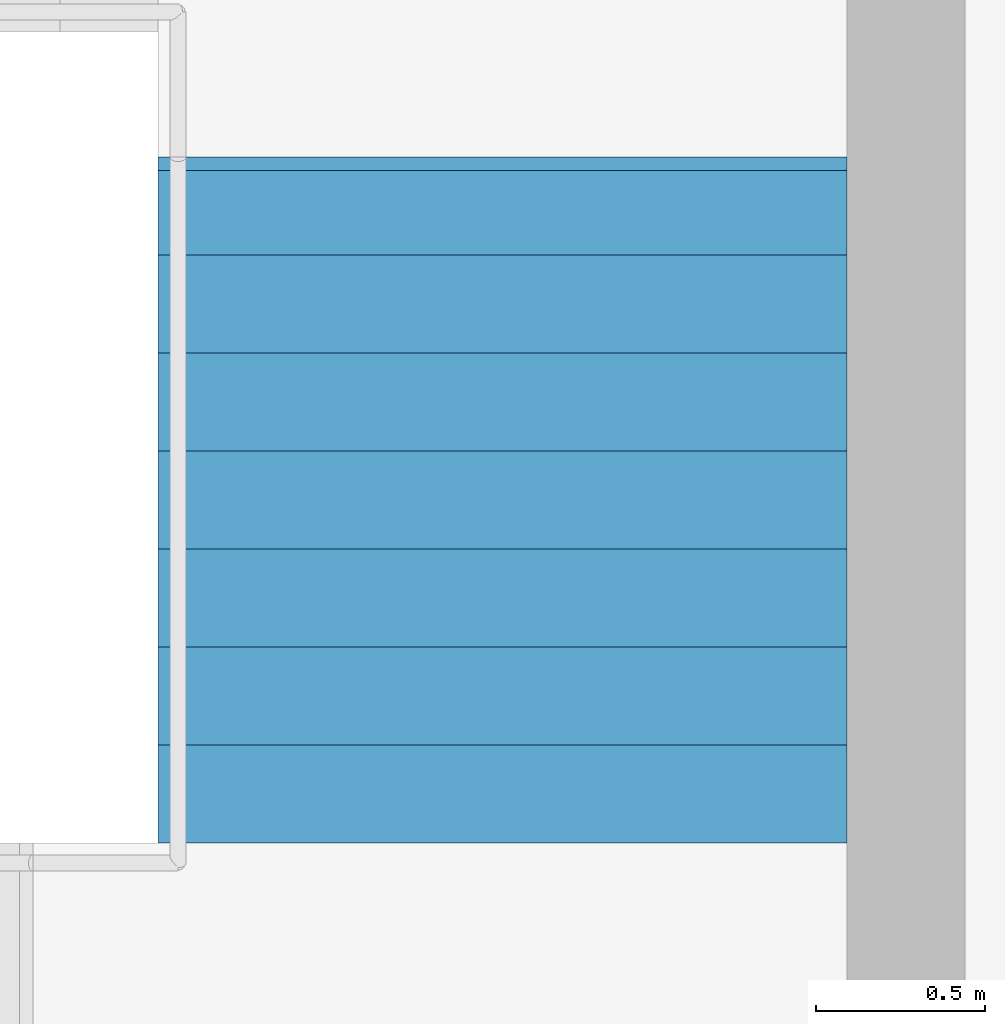
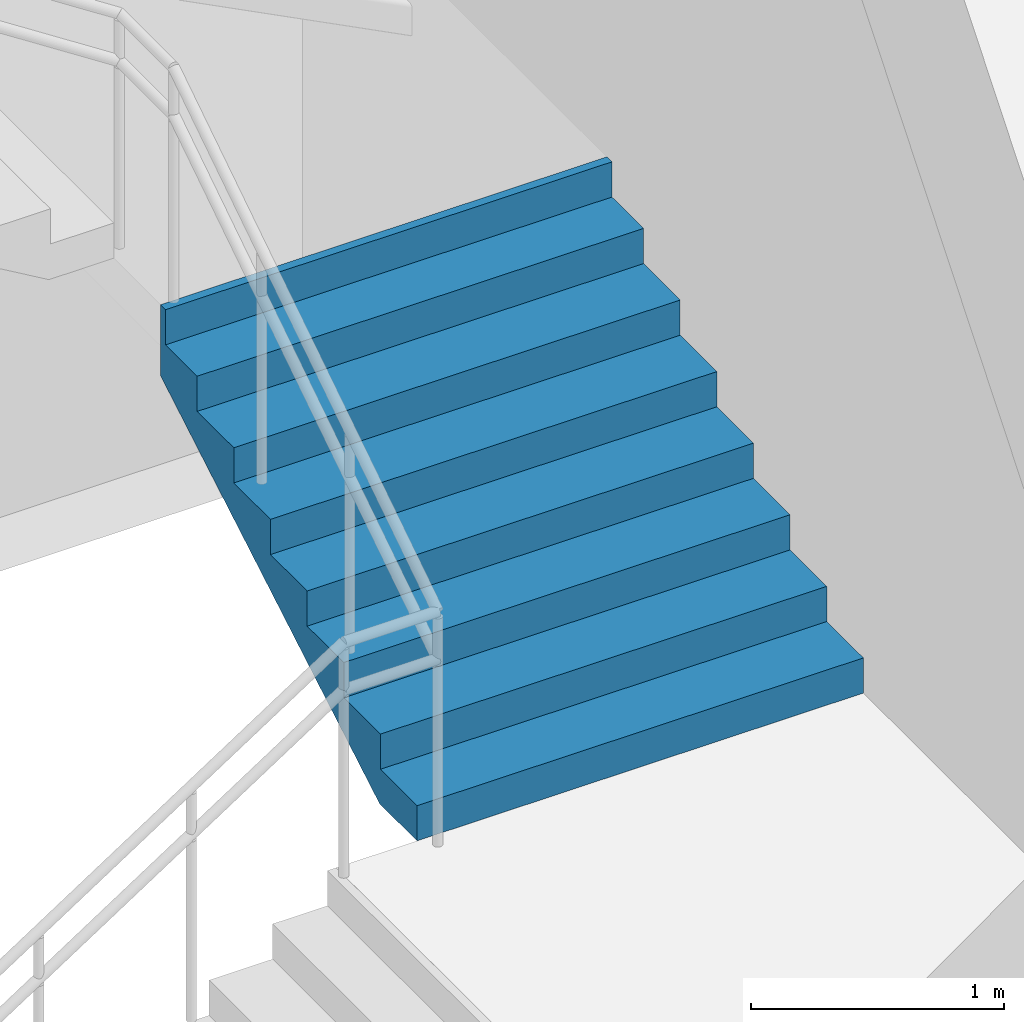
# One storey, part 51 of 72: 1 stair flight, 1 element without a shape of its own.
"""IFC4 building model written with IfcOpenShell, lengths in metres."""

from ifc_helpers import new_model, si_unit, direction, frame, origin, place, context, subcontext, project, spatial, triangles, material, type_object, element, aggregate, save


model = new_model("IFC4")

# Units and contexts
model_context = context("Model", 3, precision=1e-05, world=origin(), true_north=direction((0.0, 1.0)))
body_context = subcontext(model_context, "Body", "Model", "MODEL_VIEW")
ifc_project = project(units=[si_unit("LENGTHUNIT", "METRE"), si_unit("AREAUNIT", "SQUARE_METRE"), si_unit("VOLUMEUNIT", "CUBIC_METRE"), si_unit("PLANEANGLEUNIT", "RADIAN"), si_unit("MASSUNIT", "GRAM", prefix="KILO")], contexts=[model_context])

# Site, building, storey
site_placement = place(None, origin())
site = spatial("IfcSite", under=ifc_project, at=site_placement, CompositionType="ELEMENT")
building_placement = place(site_placement, origin())
building = spatial("IfcBuilding", under=site, at=building_placement, Name="Sillaruma Civic Art Gallery", CompositionType="ELEMENT")
storey_placement = place(building_placement, frame((0.0, 0.0, 10.8798828125)))
storey = spatial("IfcBuildingStorey", under=building, at=storey_placement, Name="L02", CompositionType="ELEMENT", Elevation=10.8798828125)

# Stair, stair flight
ifc_material = material(Name="Concrete H35 (35 MPa)", Category="concrete")
stair_type = type_object("IfcStairType", Name="STR-4F-32", PredefinedType="USERDEFINED", material=ifc_material)
stair_placement = place(storey_placement, origin())
stair = element("IfcStair", 1, at=stair_placement, inside=storey, type_object=stair_type, Name="Protected Exit Stair ST-03 (West Bar South) (L02)", ObjectType="THREE_RETURN_STAIR", PredefinedType="USERDEFINED")
stair_flight_type = type_object("IfcStairFlightType", Name="SFL-STR-8", PredefinedType="STRAIGHT", material=ifc_material)
stair_flight_placement = place(storey_placement, frame((68.219970703125, 33.449951171875, 1.360107421875), z_axis=(0.0, 0.0, 1.0), x_axis=(0.0, 1.0, 0.0)))
stair_flight = element("IfcStairFlight", 2, at=stair_flight_placement, type_object=stair_flight_type, Name="ST-03 flight 2", NumberOfRisers=8, NumberOfTreads=7, PredefinedType="STRAIGHT", RiserHeight=0.17, TreadLength=0.29, context=body_context, shape_type="Tessellation", body=[
    triangles([(0.0, -1.02001953125, 0.0), (0.29, -1.02001953125, 0.0), (0.296443, -1.02001953125, 0.0), (0.58, -1.02001953125, 0.166223), (0.87, -1.02001953125, 0.336223), (1.16, -1.02001953125, 0.506223), (1.45, -1.02001953125, 0.676223), (1.74, -1.02001953125, 0.846223), (1.990029, -1.02001953125, 0.992792), (2.030029, -1.02001953125, 1.01624), (2.030029, -1.02001953125, 1.36), (1.990029, -1.02001953125, 1.36), (1.990029, -1.02001953125, 1.19), (1.74, -1.02001953125, 1.19), (1.74, -1.02001953125, 1.02), (1.45, -1.02001953125, 1.02), (1.45, -1.02001953125, 0.85), (1.16, -1.02001953125, 0.85), (1.16, -1.02001953125, 0.68), (0.87, -1.02001953125, 0.68), (0.87, -1.02001953125, 0.51), (0.58, -1.02001953125, 0.51), (0.58, -1.02001953125, 0.34), (0.296443, -1.02001953125, 0.34), (0.29, -1.02001953125, 0.34), (0.29, -1.02001953125, 0.17), (0.0, -1.02001953125, 0.17), (0.0, -0.05, 0.0), (0.29, -0.05, 0.0), (0.296443, -0.05, 0.0), (0.58, -0.05, 0.166223), (0.87, -0.05, 0.336223), (1.16, -0.05, 0.506223), (1.45, -0.05, 0.676223), (1.74, -0.05, 0.846223), (1.990029, -0.05, 0.992792), (2.030029, -0.05, 1.01624), (2.030029, -0.05, 1.36), (1.990029, -0.05, 1.36), (1.990029, -0.05, 1.19), (1.74, -0.05, 1.19), (1.74, -0.05, 1.02), (1.45, -0.05, 1.02), (1.45, -0.05, 0.85), (1.16, -0.05, 0.85), (1.16, -0.05, 0.68), (0.87, -0.05, 0.68), (0.87, -0.05, 0.51), (0.58, -0.05, 0.51), (0.58, -0.05, 0.34), (0.296443, -0.05, 0.34), (0.29, -0.05, 0.34), (0.29, -0.05, 0.17), (0.0, -0.05, 0.17), (0.0, -0.0375, 0.0), (0.29, -0.0375, 0.0), (0.296443, -0.0375, 0.0), (0.58, -0.0375, 0.166223), (0.87, -0.0375, 0.336223), (1.16, -0.0375, 0.506223), (1.45, -0.0375, 0.676223), (1.74, -0.0375, 0.846223), (1.990029, -0.0375, 0.992792), (2.030029, -0.0375, 1.01624), (2.030029, -0.0375, 1.36), (1.990029, -0.0375, 1.36), (1.990029, -0.0375, 1.19), (1.74, -0.0375, 1.19), (1.74, -0.0375, 1.02), (1.45, -0.0375, 1.02), (1.45, -0.0375, 0.85), (1.16, -0.0375, 0.85), (1.16, -0.0375, 0.68), (0.87, -0.0375, 0.68), (0.87, -0.0375, 0.51), (0.58, -0.0375, 0.51), (0.58, -0.0375, 0.34), (0.296443, -0.0375, 0.34), (0.29, -0.0375, 0.34), (0.29, -0.0375, 0.17), (0.0, -0.0375, 0.17), (0.0, -0.025, 0.0), (0.29, -0.025, 0.0), (0.296443, -0.025, 0.0), (0.58, -0.025, 0.166223), (0.87, -0.025, 0.336223), (1.16, -0.025, 0.506223), (1.45, -0.025, 0.676223), (1.74, -0.025, 0.846223), (1.990029, -0.025, 0.992792), (2.030029, -0.025, 1.01624), (2.030029, -0.025, 1.36), (1.990029, -0.025, 1.36), (1.990029, -0.025, 1.19), (1.74, -0.025, 1.19), (1.74, -0.025, 1.02), (1.45, -0.025, 1.02), (1.45, -0.025, 0.85), (1.16, -0.025, 0.85), (1.16, -0.025, 0.68), (0.87, -0.025, 0.68), (0.87, -0.025, 0.51), (0.58, -0.025, 0.51), (0.58, -0.025, 0.34), (0.296443, -0.025, 0.34), (0.29, -0.025, 0.34), (0.29, -0.025, 0.17), (0.0, -0.025, 0.17), (0.0, -0.0125, 0.0), (0.29, -0.0125, 0.0), (0.296443, -0.0125, 0.0), (0.58, -0.0125, 0.166223), (0.87, -0.0125, 0.336223), (1.16, -0.0125, 0.506223), (1.45, -0.0125, 0.676223), (1.74, -0.0125, 0.846223), (1.990029, -0.0125, 0.992792), (2.030029, -0.0125, 1.01624), (2.030029, -0.0125, 1.36), (1.990029, -0.0125, 1.36), (1.990029, -0.0125, 1.19), (1.74, -0.0125, 1.19), (1.74, -0.0125, 1.02), (1.45, -0.0125, 1.02), (1.45, -0.0125, 0.85), (1.16, -0.0125, 0.85), (1.16, -0.0125, 0.68), (0.87, -0.0125, 0.68), (0.87, -0.0125, 0.51), (0.58, -0.0125, 0.51), (0.58, -0.0125, 0.34), (0.296443, -0.0125, 0.34), (0.29, -0.0125, 0.34), (0.29, -0.0125, 0.17), (0.0, -0.0125, 0.17), (0.0, 0.0, 0.0), (0.29, 0.0, 0.0), (0.296443, 0.0, 0.0), (0.58, 0.0, 0.166223), (0.87, 0.0, 0.336223), (1.16, 0.0, 0.506223), (1.45, 0.0, 0.676223), (1.74, 0.0, 0.846223), (1.990029, 0.0, 0.992792), (2.030029, 0.0, 1.01624), (2.030029, 0.0, 1.36), (1.990029, 0.0, 1.36), (1.990029, 0.0, 1.19), (1.74, 0.0, 1.19), (1.74, 0.0, 1.02), (1.45, 0.0, 1.02), (1.45, 0.0, 0.85), (1.16, 0.0, 0.85), (1.16, 0.0, 0.68), (0.87, 0.0, 0.68), (0.87, 0.0, 0.51), (0.58, 0.0, 0.51), (0.58, 0.0, 0.34), (0.296443, 0.0, 0.34), (0.29, 0.0, 0.34), (0.29, 0.0, 0.17), (0.0, 0.0, 0.17), (0.0, 0.0125, 0.0), (0.29, 0.0125, 0.0), (0.296443, 0.0125, 0.0), (0.58, 0.0125, 0.166223), (0.87, 0.0125, 0.336223), (1.16, 0.0125, 0.506223), (1.45, 0.0125, 0.676223), (1.74, 0.0125, 0.846223), (1.990029, 0.0125, 0.992792), (2.030029, 0.0125, 1.01624), (2.030029, 0.0125, 1.36), (1.990029, 0.0125, 1.36), (1.990029, 0.0125, 1.19), (1.74, 0.0125, 1.19), (1.74, 0.0125, 1.02), (1.45, 0.0125, 1.02), (1.45, 0.0125, 0.85), (1.16, 0.0125, 0.85), (1.16, 0.0125, 0.68), (0.87, 0.0125, 0.68), (0.87, 0.0125, 0.51), (0.58, 0.0125, 0.51), (0.58, 0.0125, 0.34), (0.296443, 0.0125, 0.34), (0.29, 0.0125, 0.34), (0.29, 0.0125, 0.17), (0.0, 0.0125, 0.17), (0.0, 0.025, 0.0), (0.29, 0.025, 0.0), (0.296443, 0.025, 0.0), (0.58, 0.025, 0.166223), (0.87, 0.025, 0.336223), (1.16, 0.025, 0.506223), (1.45, 0.025, 0.676223), (1.74, 0.025, 0.846223), (1.990029, 0.025, 0.992792), (2.030029, 0.025, 1.01624), (2.030029, 0.025, 1.36), (1.990029, 0.025, 1.36), (1.990029, 0.025, 1.19), (1.74, 0.025, 1.19), (1.74, 0.025, 1.02), (1.45, 0.025, 1.02), (1.45, 0.025, 0.85), (1.16, 0.025, 0.85), (1.16, 0.025, 0.68), (0.87, 0.025, 0.68), (0.87, 0.025, 0.51), (0.58, 0.025, 0.51), (0.58, 0.025, 0.34), (0.296443, 0.025, 0.34), (0.29, 0.025, 0.34), (0.29, 0.025, 0.17), (0.0, 0.025, 0.17), (0.0, 0.0375, 0.0), (0.29, 0.0375, 0.0), (0.296443, 0.0375, 0.0), (0.58, 0.0375, 0.166223), (0.87, 0.0375, 0.336223), (1.16, 0.0375, 0.506223), (1.45, 0.0375, 0.676223), (1.74, 0.0375, 0.846223), (1.990029, 0.0375, 0.992792), (2.030029, 0.0375, 1.01624), (2.030029, 0.0375, 1.36), (1.990029, 0.0375, 1.36), (1.990029, 0.0375, 1.19), (1.74, 0.0375, 1.19), (1.74, 0.0375, 1.02), (1.45, 0.0375, 1.02), (1.45, 0.0375, 0.85), (1.16, 0.0375, 0.85), (1.16, 0.0375, 0.68), (0.87, 0.0375, 0.68), (0.87, 0.0375, 0.51), (0.58, 0.0375, 0.51), (0.58, 0.0375, 0.34), (0.296443, 0.0375, 0.34), (0.29, 0.0375, 0.34), (0.29, 0.0375, 0.17), (0.0, 0.0375, 0.17), (0.0, 0.05, 0.0), (0.29, 0.05, 0.0), (0.296443, 0.05, 0.0), (0.58, 0.05, 0.166223), (0.87, 0.05, 0.336223), (1.16, 0.05, 0.506223), (1.45, 0.05, 0.676223), (1.74, 0.05, 0.846223), (1.990029, 0.05, 0.992792), (2.030029, 0.05, 1.01624), (2.030029, 0.05, 1.36), (1.990029, 0.05, 1.36), (1.990029, 0.05, 1.19), (1.74, 0.05, 1.19), (1.74, 0.05, 1.02), (1.45, 0.05, 1.02), (1.45, 0.05, 0.85), (1.16, 0.05, 0.85), (1.16, 0.05, 0.68), (0.87, 0.05, 0.68), (0.87, 0.05, 0.51), (0.58, 0.05, 0.51), (0.58, 0.05, 0.34), (0.296443, 0.05, 0.34), (0.29, 0.05, 0.34), (0.29, 0.05, 0.17), (0.0, 0.05, 0.17), (0.0, 1.02001953125, 0.0), (0.29, 1.02001953125, 0.0), (0.296443, 1.02001953125, 0.0), (0.58, 1.02001953125, 0.166223), (0.87, 1.02001953125, 0.336223), (1.16, 1.02001953125, 0.506223), (1.45, 1.02001953125, 0.676223), (1.74, 1.02001953125, 0.846223), (1.990029, 1.02001953125, 0.992792), (2.030029, 1.02001953125, 1.01624), (2.030029, 1.02001953125, 1.36), (1.990029, 1.02001953125, 1.36), (1.990029, 1.02001953125, 1.19), (1.74, 1.02001953125, 1.19), (1.74, 1.02001953125, 1.02), (1.45, 1.02001953125, 1.02), (1.45, 1.02001953125, 0.85), (1.16, 1.02001953125, 0.85), (1.16, 1.02001953125, 0.68), (0.87, 1.02001953125, 0.68), (0.87, 1.02001953125, 0.51), (0.58, 1.02001953125, 0.51), (0.58, 1.02001953125, 0.34), (0.296443, 1.02001953125, 0.34), (0.29, 1.02001953125, 0.34), (0.29, 1.02001953125, 0.17), (0.0, 1.02001953125, 0.17)], [[1, 2, 26], [1, 26, 27], [2, 3, 24], [2, 24, 26], [26, 24, 25], [3, 4, 23], [3, 23, 24], [4, 5, 21], [4, 21, 23], [23, 21, 22], [5, 6, 19], [5, 19, 21], [21, 19, 20], [6, 7, 17], [6, 17, 19], [19, 17, 18], [7, 8, 15], [7, 15, 17], [17, 15, 16], [8, 9, 13], [8, 13, 15], [15, 13, 14], [9, 10, 11], [9, 11, 13], [13, 11, 12], [296, 272, 271], [297, 296, 271], [294, 273, 272], [296, 294, 272], [295, 294, 296], [293, 274, 273], [294, 293, 273], [291, 275, 274], [293, 291, 274], [292, 291, 293], [289, 276, 275], [291, 289, 275], [290, 289, 291], [287, 277, 276], [289, 287, 276], [288, 287, 289], [285, 278, 277], [287, 285, 277], [286, 285, 287], [283, 279, 278], [285, 283, 278], [284, 283, 285], [281, 280, 279], [283, 281, 279], [282, 281, 283], [2, 1, 28], [2, 28, 29], [3, 2, 29], [3, 29, 30], [4, 3, 30], [4, 30, 31], [5, 4, 31], [5, 31, 32], [6, 5, 32], [6, 32, 33], [7, 6, 33], [7, 33, 34], [8, 7, 34], [8, 34, 35], [9, 8, 35], [9, 35, 36], [10, 9, 36], [10, 36, 37], [11, 10, 37], [11, 37, 38], [12, 11, 38], [12, 38, 39], [13, 12, 39], [13, 39, 40], [14, 13, 40], [14, 40, 41], [15, 14, 41], [15, 41, 42], [16, 15, 42], [16, 42, 43], [17, 16, 43], [17, 43, 44], [18, 17, 44], [18, 44, 45], [19, 18, 45], [19, 45, 46], [20, 19, 46], [20, 46, 47], [21, 20, 47], [21, 47, 48], [22, 21, 48], [22, 48, 49], [23, 22, 49], [23, 49, 50], [24, 23, 50], [24, 50, 51], [25, 24, 51], [25, 51, 52], [26, 25, 52], [26, 52, 53], [27, 26, 53], [27, 53, 54], [1, 27, 54], [1, 54, 28], [29, 28, 55], [29, 55, 56], [30, 29, 56], [30, 56, 57], [31, 30, 57], [31, 57, 58], [32, 31, 58], [32, 58, 59], [33, 32, 59], [33, 59, 60], [34, 33, 60], [34, 60, 61], [35, 34, 61], [35, 61, 62], [36, 35, 62], [36, 62, 63], [37, 36, 63], [37, 63, 64], [38, 37, 64], [38, 64, 65], [39, 38, 65], [39, 65, 66], [40, 39, 66], [40, 66, 67], [41, 40, 67], [41, 67, 68], [42, 41, 68], [42, 68, 69], [43, 42, 69], [43, 69, 70], [44, 43, 70], [44, 70, 71], [45, 44, 71], [45, 71, 72], [46, 45, 72], [46, 72, 73], [47, 46, 73], [47, 73, 74], [48, 47, 74], [48, 74, 75], [49, 48, 75], [49, 75, 76], [50, 49, 76], [50, 76, 77], [51, 50, 77], [51, 77, 78], [52, 51, 78], [52, 78, 79], [53, 52, 79], [53, 79, 80], [54, 53, 80], [54, 80, 81], [28, 54, 81], [28, 81, 55], [56, 55, 82], [56, 82, 83], [57, 56, 83], [57, 83, 84], [58, 57, 84], [58, 84, 85], [59, 58, 85], [59, 85, 86], [60, 59, 86], [60, 86, 87], [61, 60, 87], [61, 87, 88], [62, 61, 88], [62, 88, 89], [63, 62, 89], [63, 89, 90], [64, 63, 90], [64, 90, 91], [65, 64, 91], [65, 91, 92], [66, 65, 92], [66, 92, 93], [67, 66, 93], [67, 93, 94], [68, 67, 94], [68, 94, 95], [69, 68, 95], [69, 95, 96], [70, 69, 96], [70, 96, 97], [71, 70, 97], [71, 97, 98], [72, 71, 98], [72, 98, 99], [73, 72, 99], [73, 99, 100], [74, 73, 100], [74, 100, 101], [75, 74, 101], [75, 101, 102], [76, 75, 102], [76, 102, 103], [77, 76, 103], [77, 103, 104], [78, 77, 104], [78, 104, 105], [79, 78, 105], [79, 105, 106], [80, 79, 106], [80, 106, 107], [81, 80, 107], [81, 107, 108], [55, 81, 108], [55, 108, 82], [83, 82, 109], [83, 109, 110], [84, 83, 110], [84, 110, 111], [85, 84, 111], [85, 111, 112], [86, 85, 112], [86, 112, 113], [87, 86, 113], [87, 113, 114], [88, 87, 114], [88, 114, 115], [89, 88, 115], [89, 115, 116], [90, 89, 116], [90, 116, 117], [91, 90, 117], [91, 117, 118], [92, 91, 118], [92, 118, 119], [93, 92, 119], [93, 119, 120], [94, 93, 120], [94, 120, 121], [95, 94, 121], [95, 121, 122], [96, 95, 122], [96, 122, 123], [97, 96, 123], [97, 123, 124], [98, 97, 124], [98, 124, 125], [99, 98, 125], [99, 125, 126], [100, 99, 126], [100, 126, 127], [101, 100, 127], [101, 127, 128], [102, 101, 128], [102, 128, 129], [103, 102, 129], [103, 129, 130], [104, 103, 130], [104, 130, 131], [105, 104, 131], [105, 131, 132], [106, 105, 132], [106, 132, 133], [107, 106, 133], [107, 133, 134], [108, 107, 134], [108, 134, 135], [82, 108, 135], [82, 135, 109], [110, 109, 136], [110, 136, 137], [111, 110, 137], [111, 137, 138], [112, 111, 138], [112, 138, 139], [113, 112, 139], [113, 139, 140], [114, 113, 140], [114, 140, 141], [115, 114, 141], [115, 141, 142], [116, 115, 142], [116, 142, 143], [117, 116, 143], [117, 143, 144], [118, 117, 144], [118, 144, 145], [119, 118, 145], [119, 145, 146], [120, 119, 146], [120, 146, 147], [121, 120, 147], [121, 147, 148], [122, 121, 148], [122, 148, 149], [123, 122, 149], [123, 149, 150], [124, 123, 150], [124, 150, 151], [125, 124, 151], [125, 151, 152], [126, 125, 152], [126, 152, 153], [127, 126, 153], [127, 153, 154], [128, 127, 154], [128, 154, 155], [129, 128, 155], [129, 155, 156], [130, 129, 156], [130, 156, 157], [131, 130, 157], [131, 157, 158], [132, 131, 158], [132, 158, 159], [133, 132, 159], [133, 159, 160], [134, 133, 160], [134, 160, 161], [135, 134, 161], [135, 161, 162], [109, 135, 162], [109, 162, 136], [137, 136, 163], [137, 163, 164], [138, 137, 164], [138, 164, 165], [139, 138, 165], [139, 165, 166], [140, 139, 166], [140, 166, 167], [141, 140, 167], [141, 167, 168], [142, 141, 168], [142, 168, 169], [143, 142, 169], [143, 169, 170], [144, 143, 170], [144, 170, 171], [145, 144, 171], [145, 171, 172], [146, 145, 172], [146, 172, 173], [147, 146, 173], [147, 173, 174], [148, 147, 174], [148, 174, 175], [149, 148, 175], [149, 175, 176], [150, 149, 176], [150, 176, 177], [151, 150, 177], [151, 177, 178], [152, 151, 178], [152, 178, 179], [153, 152, 179], [153, 179, 180], [154, 153, 180], [154, 180, 181], [155, 154, 181], [155, 181, 182], [156, 155, 182], [156, 182, 183], [157, 156, 183], [157, 183, 184], [158, 157, 184], [158, 184, 185], [159, 158, 185], [159, 185, 186], [160, 159, 186], [160, 186, 187], [161, 160, 187], [161, 187, 188], [162, 161, 188], [162, 188, 189], [136, 162, 189], [136, 189, 163], [164, 163, 190], [164, 190, 191], [165, 164, 191], [165, 191, 192], [166, 165, 192], [166, 192, 193], [167, 166, 193], [167, 193, 194], [168, 167, 194], [168, 194, 195], [169, 168, 195], [169, 195, 196], [170, 169, 196], [170, 196, 197], [171, 170, 197], [171, 197, 198], [172, 171, 198], [172, 198, 199], [173, 172, 199], [173, 199, 200], [174, 173, 200], [174, 200, 201], [175, 174, 201], [175, 201, 202], [176, 175, 202], [176, 202, 203], [177, 176, 203], [177, 203, 204], [178, 177, 204], [178, 204, 205], [179, 178, 205], [179, 205, 206], [180, 179, 206], [180, 206, 207], [181, 180, 207], [181, 207, 208], [182, 181, 208], [182, 208, 209], [183, 182, 209], [183, 209, 210], [184, 183, 210], [184, 210, 211], [185, 184, 211], [185, 211, 212], [186, 185, 212], [186, 212, 213], [187, 186, 213], [187, 213, 214], [188, 187, 214], [188, 214, 215], [189, 188, 215], [189, 215, 216], [163, 189, 216], [163, 216, 190], [191, 190, 217], [191, 217, 218], [192, 191, 218], [192, 218, 219], [193, 192, 219], [193, 219, 220], [194, 193, 220], [194, 220, 221], [195, 194, 221], [195, 221, 222], [196, 195, 222], [196, 222, 223], [197, 196, 223], [197, 223, 224], [198, 197, 224], [198, 224, 225], [199, 198, 225], [199, 225, 226], [200, 199, 226], [200, 226, 227], [201, 200, 227], [201, 227, 228], [202, 201, 228], [202, 228, 229], [203, 202, 229], [203, 229, 230], [204, 203, 230], [204, 230, 231], [205, 204, 231], [205, 231, 232], [206, 205, 232], [206, 232, 233], [207, 206, 233], [207, 233, 234], [208, 207, 234], [208, 234, 235], [209, 208, 235], [209, 235, 236], [210, 209, 236], [210, 236, 237], [211, 210, 237], [211, 237, 238], [212, 211, 238], [212, 238, 239], [213, 212, 239], [213, 239, 240], [214, 213, 240], [214, 240, 241], [215, 214, 241], [215, 241, 242], [216, 215, 242], [216, 242, 243], [190, 216, 243], [190, 243, 217], [218, 217, 244], [218, 244, 245], [219, 218, 245], [219, 245, 246], [220, 219, 246], [220, 246, 247], [221, 220, 247], [221, 247, 248], [222, 221, 248], [222, 248, 249], [223, 222, 249], [223, 249, 250], [224, 223, 250], [224, 250, 251], [225, 224, 251], [225, 251, 252], [226, 225, 252], [226, 252, 253], [227, 226, 253], [227, 253, 254], [228, 227, 254], [228, 254, 255], [229, 228, 255], [229, 255, 256], [230, 229, 256], [230, 256, 257], [231, 230, 257], [231, 257, 258], [232, 231, 258], [232, 258, 259], [233, 232, 259], [233, 259, 260], [234, 233, 260], [234, 260, 261], [235, 234, 261], [235, 261, 262], [236, 235, 262], [236, 262, 263], [237, 236, 263], [237, 263, 264], [238, 237, 264], [238, 264, 265], [239, 238, 265], [239, 265, 266], [240, 239, 266], [240, 266, 267], [241, 240, 267], [241, 267, 268], [242, 241, 268], [242, 268, 269], [243, 242, 269], [243, 269, 270], [217, 243, 270], [217, 270, 244], [245, 244, 271], [245, 271, 272], [246, 245, 272], [246, 272, 273], [247, 246, 273], [247, 273, 274], [248, 247, 274], [248, 274, 275], [249, 248, 275], [249, 275, 276], [250, 249, 276], [250, 276, 277], [251, 250, 277], [251, 277, 278], [252, 251, 278], [252, 278, 279], [253, 252, 279], [253, 279, 280], [254, 253, 280], [254, 280, 281], [255, 254, 281], [255, 281, 282], [256, 255, 282], [256, 282, 283], [257, 256, 283], [257, 283, 284], [258, 257, 284], [258, 284, 285], [259, 258, 285], [259, 285, 286], [260, 259, 286], [260, 286, 287], [261, 260, 287], [261, 287, 288], [262, 261, 288], [262, 288, 289], [263, 262, 289], [263, 289, 290], [264, 263, 290], [264, 290, 291], [265, 264, 291], [265, 291, 292], [266, 265, 292], [266, 292, 293], [267, 266, 293], [267, 293, 294], [268, 267, 294], [268, 294, 295], [269, 268, 295], [269, 295, 296], [270, 269, 296], [270, 296, 297], [244, 270, 297], [244, 297, 271]], closed=True),
])
aggregate(stair, [stair_flight])

save(model, "model.ifc")
